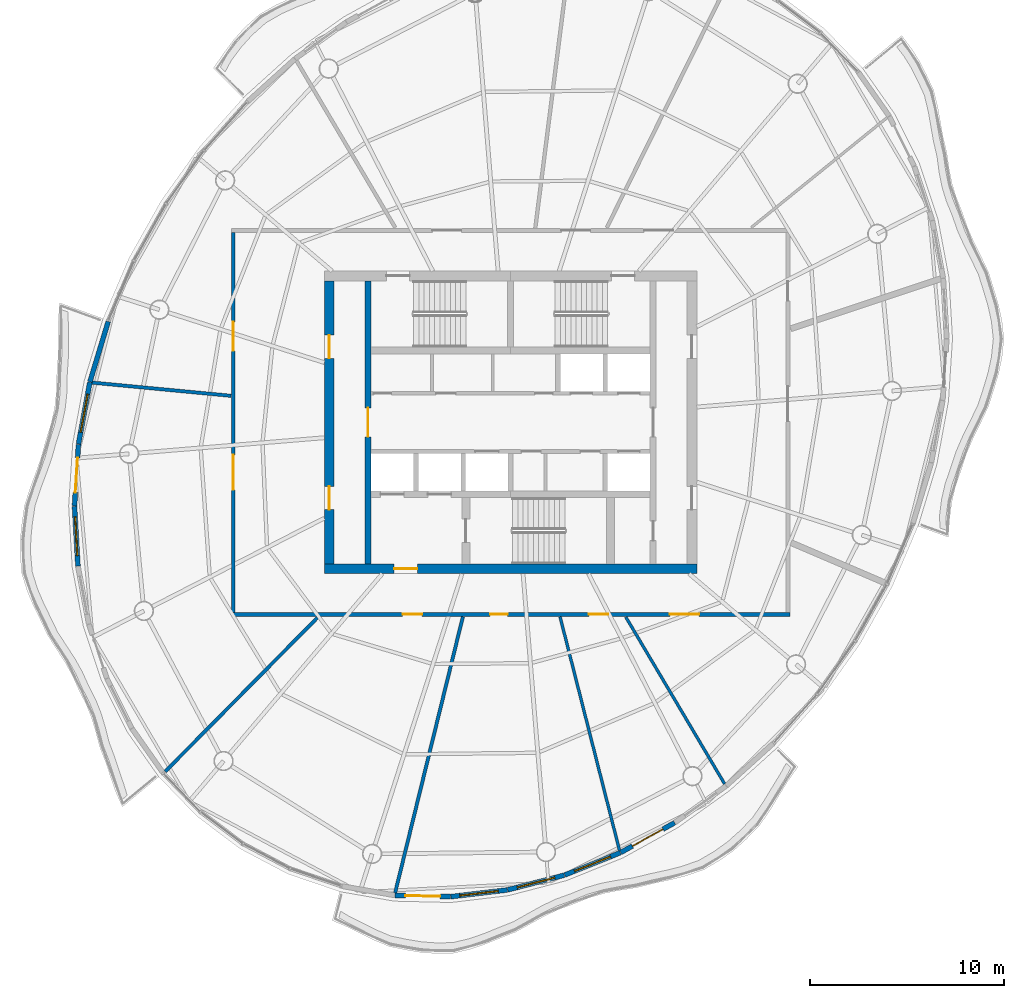
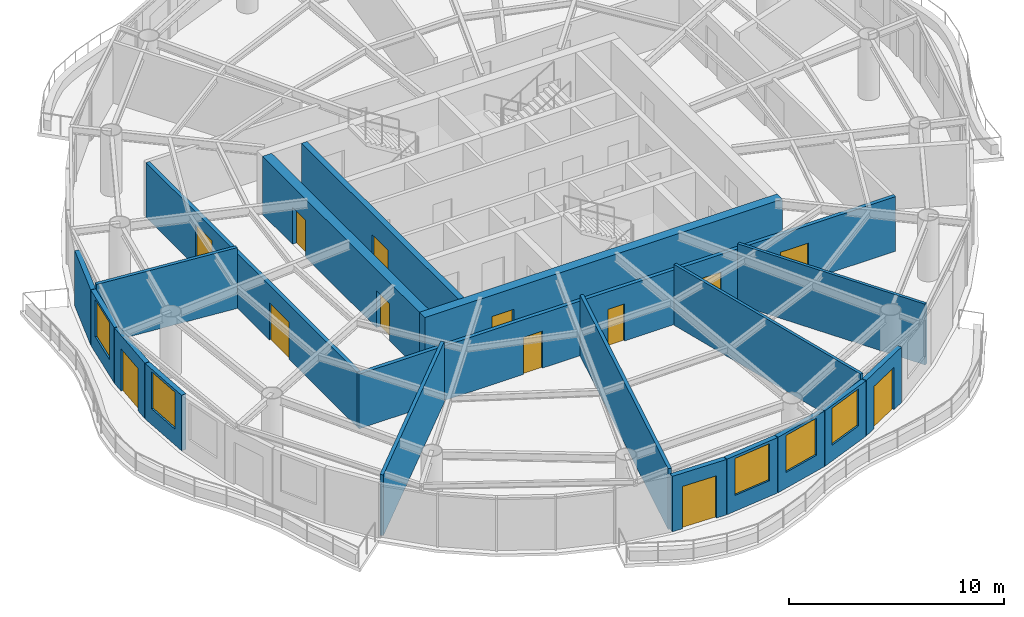
# One storey, part 8 of 14: 19 walls, 13 doors, 5 windows, 18 openings.
"""IFC4 building model written with IfcOpenShell, lengths in metres."""

import ifcopenshell
import ifcopenshell.guid

model = None  # the IFC model being written
_history = None  # IfcOwnerHistory: only IFC2X3 demands one
_inside = {}  # id of a spatial element -> (the spatial element, [elements in it])
_under = {}  # id of a project, library or spatial element -> (it, [spatial elements below it])
_declared = {}  # id of a project -> (the project, [libraries it declares])
_typed = {}  # id of a type object -> (the type object, [elements of that type])
_made_of = {}  # id of a material, layer set ... -> (it, [elements and type objects made of it])


def new_model(schema):
    """Start an empty IFC model of exactly this schema.

    Asked for "IFC4X3", IfcOpenShell would pick the latest addendum, in which some entities
    have other attributes; the version numbers below select the first issue.
    IFC2X3 requires an IfcOwnerHistory on every rooted entity: one is made here for all.
    """
    global model, _history
    if schema == "IFC4X3":
        model = ifcopenshell.file(schema_version=(4, 3, 0, 0))
    else:
        model = ifcopenshell.file(schema=schema)
    _inside.clear()
    _under.clear()
    _declared.clear()
    _typed.clear()
    _made_of.clear()
    _history = None
    if model.schema == "IFC2X3":
        org = make("IfcOrganization", Name="unknown")
        user = make(
            "IfcPersonAndOrganization",
            ThePerson=make("IfcPerson", FamilyName="unknown"),
            TheOrganization=org,
        )
        app = make(
            "IfcApplication",
            ApplicationDeveloper=org,
            Version="unknown",
            ApplicationFullName="unknown",
            ApplicationIdentifier="unknown",
        )
        _history = make(
            "IfcOwnerHistory",
            OwningUser=user,
            OwningApplication=app,
            ChangeAction="ADDED",
            CreationDate=0,
        )
    return model


def make(cls, **values):
    """One entity of the class cls with the attributes given. An attribute that is None is left unset."""
    return model.create_entity(
        cls, **{name: value for name, value in values.items() if value is not None}
    )


def rooted(cls, **values):
    """An entity with a GlobalId (a new one), such as an element, a storey or a relation."""
    return make(cls, GlobalId=ifcopenshell.guid.new(), OwnerHistory=_history, **values)


def si_unit(unit_type, name, prefix=None):
    """IfcSIUnit, for example si_unit("LENGTHUNIT", "METRE", prefix="MILLI")."""
    return make("IfcSIUnit", UnitType=unit_type, Prefix=prefix, Name=name)


def assignment(units):
    """IfcUnitAssignment: the units of a project."""
    return None if units is None else make("IfcUnitAssignment", Units=units)


def point(xyz):
    """IfcCartesianPoint."""
    return None if xyz is None else make("IfcCartesianPoint", Coordinates=xyz)


def direction(xyz):
    """IfcDirection."""
    return None if xyz is None else make("IfcDirection", DirectionRatios=xyz)


def frame(location, z_axis=None, x_axis=None):
    """IfcAxis2Placement3D, a coordinate frame: its origin and axes. An axis left out is left unset."""
    return make(
        "IfcAxis2Placement3D",
        Location=point(location),
        Axis=direction(z_axis),
        RefDirection=direction(x_axis),
    )


def frame_2d(location, x_axis=None):
    """IfcAxis2Placement2D, a coordinate frame in the plane: its origin and x axis."""
    return make(
        "IfcAxis2Placement2D", Location=point(location), RefDirection=direction(x_axis)
    )


def origin():
    """The frame at (0, 0, 0) with its axes left unset."""
    return frame((0.0, 0.0, 0.0))


def place(relative_to, where):
    """IfcLocalPlacement: puts the frame where relative to a parent placement (None: the world)."""
    return make(
        "IfcLocalPlacement", PlacementRelTo=relative_to, RelativePlacement=where
    )


def context(
    kind, dimensions, precision=None, world=None, true_north=None, identifier=None
):
    """IfcGeometricRepresentationContext, for example the 3D "Model" context."""
    return make(
        "IfcGeometricRepresentationContext",
        ContextIdentifier=identifier,
        ContextType=kind,
        CoordinateSpaceDimension=dimensions,
        Precision=precision,
        WorldCoordinateSystem=world,
        TrueNorth=true_north,
    )


def subcontext(parent, identifier, kind, view, scale=None):
    """IfcGeometricRepresentationSubContext, for example "Body" below "Model"."""
    return make(
        "IfcGeometricRepresentationSubContext",
        ContextIdentifier=identifier,
        ContextType=kind,
        ParentContext=parent,
        TargetScale=scale,
        TargetView=view,
    )


def project(units=None, contexts=None):
    """IfcProject with its units and contexts."""
    return rooted(
        "IfcProject",
        Name="project",
        RepresentationContexts=contexts,
        UnitsInContext=assignment(units),
    )


def spatial(cls, under=None, at=None, **own):
    """A site, building, storey or space (cls), placed at a placement, below another one or the project."""
    s = rooted(cls, ObjectPlacement=at, **own)
    if under is not None:
        _under.setdefault(under.id(), (under, []))[1].append(s)
    return s


def profile(cls, at=None, kind="AREA", **sizes):
    """A parametric profile (cls). Its sizes go by their IFC names, for example OverallWidth=200.0."""
    return make(cls, ProfileType=kind, Position=at, **sizes)


def rectangle(**sizes):
    """IfcRectangleProfileDef."""
    return profile("IfcRectangleProfileDef", **sizes)


def extrude(swept, where, along, depth):
    """IfcExtrudedAreaSolid: the profile swept, set in the frame where, extruded along a direction by depth."""
    return make(
        "IfcExtrudedAreaSolid",
        SweptArea=swept,
        Position=where,
        ExtrudedDirection=direction(along),
        Depth=depth,
    )


def shape(context_of_items, identifier, shape_type, items):
    """IfcShapeRepresentation: the items that make up one representation, for example the "Body"."""
    return make(
        "IfcShapeRepresentation",
        ContextOfItems=context_of_items,
        RepresentationIdentifier=identifier,
        RepresentationType=shape_type,
        Items=items,
    )


def material(Name=None, Category=None):
    """IfcMaterial."""
    return make("IfcMaterial", Name=Name, Category=Category)


def layer(
    of_material, thickness, ventilated=None, Name=None, Category=None, Priority=None
):
    """IfcMaterialLayer: one layer of a wall or slab, of a material (None: an air gap)."""
    return make(
        "IfcMaterialLayer",
        Material=of_material,
        LayerThickness=thickness,
        IsVentilated=ventilated,
        Name=Name,
        Category=Category,
        Priority=Priority,
    )


def layer_set(layers, Name=None):
    """IfcMaterialLayerSet."""
    return make("IfcMaterialLayerSet", MaterialLayers=layers, LayerSetName=Name)


def made_of(thing, what):
    """Note that an element or type object is made of a material, layer set ...; save() writes the relation."""
    if what is not None:
        _made_of.setdefault(what.id(), (what, []))[1].append(thing)
    return thing


def type_object(cls, material=None, **own):
    """A type object (cls), such as IfcWallType, which elements share."""
    return made_of(rooted(cls, **own), material)


def element(
    cls,
    number,
    at=None,
    inside=None,
    cuts=None,
    type_object=None,
    material=None,
    context=None,
    identifier="Body",
    shape_type=None,
    held_by="IfcProductDefinitionShape",
    body=None,
    shapes=None,
    **own,
):
    """One element of the class cls, such as IfcWall. Its Tag is "e" and its number.

    at: its placement. inside: the storey or other place that contains it. cuts: it is an
    opening in that element (IfcRelVoidsElement). A single representation is given by context,
    identifier, shape_type and body (its items); several are given by shapes. held_by: the class
    of the entity that holds the representations. save() writes the other relations.
    """
    e = rooted(cls, Tag="e%d" % number, ObjectPlacement=at, **own)
    if body is not None:
        shapes = [shape(context, identifier, shape_type, body)]
    if shapes is not None:
        e.Representation = make(held_by, Representations=shapes)
    if inside is not None:
        _inside.setdefault(inside.id(), (inside, []))[1].append(e)
    if cuts is not None:
        rooted(
            "IfcRelVoidsElement", RelatingBuildingElement=cuts, RelatedOpeningElement=e
        )
    if type_object is not None:
        _typed.setdefault(type_object.id(), (type_object, []))[1].append(e)
    return made_of(e, material)


def fill(opening, filler):
    """IfcRelFillsElement: the door or window that sits in an opening."""
    return rooted(
        "IfcRelFillsElement",
        RelatingOpeningElement=opening,
        RelatedBuildingElement=filler,
    )


def aggregate(whole, parts):
    """IfcRelAggregates: a whole, such as a stair, and the parts it consists of."""
    return rooted("IfcRelAggregates", RelatingObject=whole, RelatedObjects=parts)


def save(model, path):
    """Write the relations noted so far, then the file.

    IfcRelAggregates (storeys below a building ...), IfcRelContainedInSpatialStructure (elements
    in a storey), IfcRelDefinesByType, IfcRelAssociatesMaterial and IfcRelDeclares: one each for
    every whole, place, type object, material and project.
    """
    for whole, parts in _under.values():
        aggregate(whole, parts)
    for where, things in _inside.values():
        rooted(
            "IfcRelContainedInSpatialStructure",
            RelatedElements=things,
            RelatingStructure=where,
        )
    for kind, things in _typed.values():
        rooted("IfcRelDefinesByType", RelatedObjects=things, RelatingType=kind)
    for what, things in _made_of.values():
        rooted("IfcRelAssociatesMaterial", RelatedObjects=things, RelatingMaterial=what)
    for by, libraries in _declared.values():
        rooted("IfcRelDeclares", RelatingContext=by, RelatedDefinitions=libraries)
    model.write(path)


model = new_model("IFC4")

# Units and contexts
model_context = context("Model", 3, precision=1e-05, world=origin(), true_north=direction((0.0, 1.0)))
body_context = subcontext(model_context, "Body", "Model", "MODEL_VIEW")
ifc_project = project(units=[si_unit("LENGTHUNIT", "METRE"), si_unit("AREAUNIT", "SQUARE_METRE"), si_unit("VOLUMEUNIT", "CUBIC_METRE"), si_unit("PLANEANGLEUNIT", "RADIAN"), si_unit("MASSUNIT", "GRAM", prefix="KILO")], contexts=[model_context])

# Site, building, storey
site_placement = place(None, origin())
site = spatial("IfcSite", under=ifc_project, at=site_placement, CompositionType="ELEMENT")
building_placement = place(site_placement, origin())
building = spatial("IfcBuilding", under=site, at=building_placement, Name="Vermilion Reach Broadcast Tower", CompositionType="ELEMENT")
storey_placement = place(building_placement, frame((0.0, 0.0, 264.89990234375)))
storey = spatial("IfcBuildingStorey", under=building, at=storey_placement, Name="L65", CompositionType="ELEMENT", Elevation=264.89990234375)

# Wall, opening, door
ifc_material_1 = material(Name="Concrete C50", Category="concrete")
ifc_layer_1 = layer(ifc_material_1, 0.300048828125)
ifc_layer_set_1 = layer_set([ifc_layer_1], Name="Core inner wall 300 mm Concrete C50")
wall_type_1 = type_object("IfcWallType", Name="Core inner wall 300 mm Concrete C50", PredefinedType="SHEAR", material=ifc_layer_set_1)
wall_1_placement = place(storey_placement, frame((-13.35009765625, 7.300048828125, 0.0), z_axis=(0.0, 0.0, 1.0), x_axis=(0.0, -1.0, 0.0)))
wall_1 = element("IfcWall", 1, at=wall_1_placement, inside=storey, type_object=wall_type_1, Name="L65 core wall ewW", PredefinedType="SHEAR", context=body_context, shape_type="SweptSolid", body=[
    extrude(rectangle(XDim=14.60009765625, YDim=0.300048828125, at=frame_2d((7.300048828125, 0.0))), origin(), (0.0, 0.0, 1.0), 3.300048828125),
])
opening_1_placement = place(wall_1_placement, frame((6.550048828125, 0.0, 0.0)))
opening_1 = element("IfcOpeningElement", 2, at=opening_1_placement, cuts=wall_1, Name="Opening D04", PredefinedType="OPENING", context=body_context, shape_type="SweptSolid", body=[
    extrude(rectangle(XDim=1.5, YDim=2.10009765625, at=frame_2d((0.75, 1.050048828125))), frame((0.0, 0.159912109375, 0.0), z_axis=(0.0, -1.0, 0.0), x_axis=(1.0, 0.0, 0.0)), (0.0, 0.0, 1.0), 0.320068359375),
])
ifc_material_2 = material(Name="Painted steel fire door", Category="steel")
door_type_1 = type_object("IfcDoorType", Name="Lift lobby door 1500 x 2100", OperationType="DOUBLE_DOOR_SINGLE_SWING", PredefinedType="NOTDEFINED", material=ifc_material_2)
door_1_placement = place(opening_1_placement, origin())
door_1 = element("IfcDoor", 3, at=door_1_placement, inside=storey, type_object=door_type_1, Name="L65 band door BW", OperationType="DOUBLE_DOOR_SINGLE_SWING", OverallHeight=2.10009765625, OverallWidth=1.5, PredefinedType="NOTDEFINED", context=body_context, shape_type="SweptSolid", body=[
    extrude(rectangle(XDim=1.5, YDim=2.10009765625, at=frame_2d((0.75, 1.050048828125))), frame((0.0, 0.02490234375, 0.0), z_axis=(0.0, -1.0, 0.0), x_axis=(1.0, 0.0, 0.0)), (0.0, 0.0, 1.0), 0.050048828125),
])
fill(opening_1, door_1)

ifc_material_3 = material(Name="Concrete C50", Category="concrete")
ifc_layer_2 = layer(ifc_material_3, 0.5)
ifc_layer_set_2 = layer_set([ifc_layer_2], Name="Core outer wall 500 mm Concrete C50")
wall_type_2 = type_object("IfcWallType", Name="Core outer wall 500 mm Concrete C50", PredefinedType="SHEAR", material=ifc_layer_set_2)
wall_2_placement = place(storey_placement, frame((-15.60009765625, -7.550048828125, 0.0), z_axis=(0.0, 0.0, 1.0), x_axis=(1.0, 0.0, 0.0)))
wall_2 = element("IfcWall", 4, at=wall_2_placement, inside=storey, type_object=wall_type_2, Name="L65 core wall os", PredefinedType="SHEAR", context=body_context, shape_type="SweptSolid", body=[
    extrude(rectangle(XDim=19.2001953125, YDim=0.5, at=frame_2d((9.60009765625, 0.0))), origin(), (0.0, 0.0, 1.0), 3.300048828125),
])
opening_2_placement = place(wall_2_placement, frame((3.60009765625, 0.0, 0.0)))
opening_2 = element("IfcOpeningElement", 5, at=opening_2_placement, cuts=wall_2, Name="Opening D02", PredefinedType="OPENING", context=body_context, shape_type="SweptSolid", body=[
    extrude(rectangle(XDim=1.199951171875, YDim=2.10009765625, at=frame_2d((0.60009765625, 1.050048828125))), frame((0.0, 0.260009765625, 0.0), z_axis=(0.0, -1.0, 0.0), x_axis=(1.0, 0.0, 0.0)), (0.0, 0.0, 1.0), 0.52001953125),
])
ifc_material_4 = material(Name="Painted steel fire door", Category="steel")
door_type_2 = type_object("IfcDoorType", Name="Firefighting lobby door 1200 x 2100", OperationType="DOUBLE_DOOR_SINGLE_SWING", PredefinedType="NOTDEFINED", material=ifc_material_4)
door_2_placement = place(opening_2_placement, origin())
door_2 = element("IfcDoor", 6, at=door_2_placement, inside=storey, type_object=door_type_2, Name="L65 ffdoor door FFL", OperationType="DOUBLE_DOOR_SINGLE_SWING", OverallHeight=2.10009765625, OverallWidth=1.199951171875, PredefinedType="NOTDEFINED", context=body_context, shape_type="SweptSolid", body=[
    extrude(rectangle(XDim=1.199951171875, YDim=2.10009765625, at=frame_2d((0.60009765625, 1.050048828125))), frame((0.0, 0.02490234375, 0.0), z_axis=(0.0, -1.0, 0.0), x_axis=(1.0, 0.0, 0.0)), (0.0, 0.0, 1.0), 0.050048828125),
])
fill(opening_2, door_2)

# Wall, openings, doors
wall_3_placement = place(storey_placement, frame((-15.35009765625, 7.300048828125, 0.0), z_axis=(0.0, 0.0, 1.0), x_axis=(0.0, -1.0, 0.0)))
wall_3 = element("IfcWall", 7, at=wall_3_placement, inside=storey, type_object=wall_type_2, Name="L65 core wall ow", PredefinedType="SHEAR", context=body_context, shape_type="SweptSolid", body=[
    extrude(rectangle(XDim=14.60009765625, YDim=0.5, at=frame_2d((7.300048828125, 0.0))), origin(), (0.0, 0.0, 1.0), 3.300048828125),
])
opening_3_placement = place(wall_3_placement, frame((10.60009765625, 0.0, 0.0)))
opening_3 = element("IfcOpeningElement", 8, at=opening_3_placement, cuts=wall_3, Name="Opening D03", PredefinedType="OPENING", context=body_context, shape_type="SweptSolid", body=[
    extrude(rectangle(XDim=1.199951171875, YDim=2.10009765625, at=frame_2d((0.60009765625, 1.050048828125))), frame((0.0, 0.260009765625, 0.0), z_axis=(0.0, -1.0, 0.0), x_axis=(1.0, 0.0, 0.0)), (0.0, 0.0, 1.0), 0.52001953125),
])
opening_4_placement = place(wall_3_placement, frame((2.800048828125, 0.0, 0.0)))
opening_4 = element("IfcOpeningElement", 9, at=opening_4_placement, cuts=wall_3, Name="Opening D03", PredefinedType="OPENING", context=body_context, shape_type="SweptSolid", body=[
    extrude(rectangle(XDim=1.199951171875, YDim=2.10009765625, at=frame_2d((0.60009765625, 1.050048828125))), frame((0.0, 0.260009765625, 0.0), z_axis=(0.0, -1.0, 0.0), x_axis=(1.0, 0.0, 0.0)), (0.0, 0.0, 1.0), 0.52001953125),
])
ifc_material_5 = material(Name="Painted steel fire door", Category="steel")
door_type_3 = type_object("IfcDoorType", Name="Core lobby door 1200 x 2100", OperationType="DOUBLE_DOOR_SINGLE_SWING", PredefinedType="NOTDEFINED", material=ifc_material_5)
door_3_placement = place(opening_3_placement, origin())
door_3 = element("IfcDoor", 10, at=door_3_placement, inside=storey, type_object=door_type_3, Name="L65 slot door W0", OperationType="DOUBLE_DOOR_SINGLE_SWING", OverallHeight=2.10009765625, OverallWidth=1.199951171875, PredefinedType="NOTDEFINED", context=body_context, shape_type="SweptSolid", body=[
    extrude(rectangle(XDim=1.199951171875, YDim=2.10009765625, at=frame_2d((0.60009765625, 1.050048828125))), frame((0.0, 0.02490234375, 0.0), z_axis=(0.0, -1.0, 0.0), x_axis=(1.0, 0.0, 0.0)), (0.0, 0.0, 1.0), 0.050048828125),
])
fill(opening_3, door_3)
door_4_placement = place(opening_4_placement, origin())
door_4 = element("IfcDoor", 11, at=door_4_placement, inside=storey, type_object=door_type_3, Name="L65 slot door W1", OperationType="DOUBLE_DOOR_SINGLE_SWING", OverallHeight=2.10009765625, OverallWidth=1.199951171875, PredefinedType="NOTDEFINED", context=body_context, shape_type="SweptSolid", body=[
    extrude(rectangle(XDim=1.199951171875, YDim=2.10009765625, at=frame_2d((0.60009765625, 1.050048828125))), frame((0.0, 0.02490234375, 0.0), z_axis=(0.0, -1.0, 0.0), x_axis=(1.0, 0.0, 0.0)), (0.0, 0.0, 1.0), 0.050048828125),
])
fill(opening_4, door_4)

# Walls
ifc_material_6 = material(Name="Lightweight concrete block, plastered", Category="concrete")
ifc_layer_3 = layer(ifc_material_6, 0.14990234375)
ifc_layer_set_3 = layer_set([ifc_layer_3], Name="Partition 150 lightweight block")
wall_type_3 = type_object("IfcWallType", Name="Partition 150 lightweight block", PredefinedType="PARTITIONING", material=ifc_layer_set_3)
wall_4_placement = place(storey_placement, frame((-0.38427734375, -22.06689453125, 0.0), z_axis=(0.0, 0.0, 1.0), x_axis=(-0.246627305847, 0.969110402385, 0.0)))
element("IfcWall", 12, at=wall_4_placement, inside=storey, type_object=wall_type_3, Name="Partition 65.07", PredefinedType="PARTITIONING", context=body_context, shape_type="SweptSolid", body=[
    extrude(rectangle(XDim=12.432373046875, YDim=0.14990234375, at=frame_2d((6.21630859375, 0.0))), origin(), (0.0, 0.0, 1.0), 3.4501953125),
])
wall_5_placement = place(storey_placement, frame((5.03662109375, -18.64208984375, 0.0), z_axis=(0.0, 0.0, 1.0), x_axis=(-0.509438244873, 0.860507219412, 0.0)))
element("IfcWall", 13, at=wall_5_placement, inside=storey, type_object=wall_type_3, Name="Partition 65.08", PredefinedType="PARTITIONING", context=body_context, shape_type="SweptSolid", body=[
    extrude(rectangle(XDim=9.998779296875, YDim=0.14990234375, at=frame_2d((4.99951171875, 0.0))), origin(), (0.0, 0.0, 1.0), 3.4501953125),
])
ifc_material_7 = material(Name="Fire-rated block, plastered")
ifc_layer_4 = layer(ifc_material_7, 0.175048828125)
ifc_layer_set_4 = layer_set([ifc_layer_4], Name="Partition 175 fire-rated block")
wall_type_4 = type_object("IfcWallType", Name="Partition 175 fire-rated block", PredefinedType="PARTITIONING", material=ifc_layer_set_4)
wall_6_placement = place(storey_placement, frame((-27.567138671875, 2.048828125, 0.0), z_axis=(0.0, 0.0, 1.0), x_axis=(0.995516809143, -0.094584791129, 0.0)))
element("IfcWall", 14, at=wall_6_placement, inside=storey, type_object=wall_type_4, Name="Partition 65.04", PredefinedType="PARTITIONING", context=body_context, shape_type="SweptSolid", body=[
    extrude(rectangle(XDim=7.191162109375, YDim=0.175048828125, at=frame_2d((3.595703125, 0.0))), origin(), (0.0, 0.0, 1.0), 3.4501953125),
])
wall_7_placement = place(storey_placement, frame((-23.808837890625, -18.00390625, 0.0), z_axis=(0.0, 0.0, 1.0), x_axis=(0.703239034198, 0.710953487073, 0.0)))
element("IfcWall", 15, at=wall_7_placement, inside=storey, type_object=wall_type_4, Name="Partition 65.05", PredefinedType="PARTITIONING", context=body_context, shape_type="SweptSolid", body=[
    extrude(rectangle(XDim=11.17138671875, YDim=0.175048828125, at=frame_2d((5.585693359375, 0.0))), origin(), (0.0, 0.0, 1.0), 3.4501953125),
])
wall_8_placement = place(storey_placement, frame((-11.95361328125, -24.260009765625, 0.0), z_axis=(0.0, 0.0, 1.0), x_axis=(0.238333250225, 0.971183433671, 0.0)))
element("IfcWall", 16, at=wall_8_placement, inside=storey, type_object=wall_type_4, Name="Partition 65.06", PredefinedType="PARTITIONING", context=body_context, shape_type="SweptSolid", body=[
    extrude(rectangle(XDim=14.661865234375, YDim=0.175048828125, at=frame_2d((7.3310546875, 0.0))), origin(), (0.0, 0.0, 1.0), 3.4501953125),
])
ifc_material_8 = material(Name="Terracotta rainscreen cladding", Category="masonry")
ifc_layer_5 = layer(ifc_material_8, 0.25)
ifc_layer_set_5 = layer_set([ifc_layer_5], Name="Terracotta rainscreen wall 250")
wall_type_5 = type_object("IfcWallType", Name="Terracotta rainscreen wall 250", PredefinedType="SOLIDWALL", material=ifc_layer_set_5)
wall_9_placement = place(storey_placement, frame((-26.74365234375, 5.197265625, 0.0), z_axis=(0.0, 0.0, 1.0), x_axis=(-0.289926029866, -0.957049056844, 0.0)))
element("IfcWall", 17, at=wall_9_placement, inside=storey, type_object=wall_type_5, Name="External wall L65 14", PredefinedType="SOLIDWALL", context=body_context, shape_type="SweptSolid", body=[
    extrude(rectangle(XDim=3.247802734375, YDim=0.25, at=frame_2d((1.6240234375, 0.0))), origin(), (0.0, 0.0, 1.0), 3.150146484375),
])

# Wall, opening, window
wall_10_placement = place(storey_placement, frame((-27.690673828125, 2.0673828125, 0.0), z_axis=(0.0, 0.0, 1.0), x_axis=(-0.180457976696, -0.983582695378, 0.0)))
wall_10 = element("IfcWall", 18, at=wall_10_placement, inside=storey, type_object=wall_type_5, Name="External wall L65 15", PredefinedType="SOLIDWALL", context=body_context, shape_type="SweptSolid", body=[
    extrude(rectangle(XDim=3.237548828125, YDim=0.25, at=frame_2d((1.61865234375, 0.0))), origin(), (0.0, 0.0, 1.0), 3.150146484375),
])
opening_5_placement = place(wall_10_placement, frame((0.61865234375, 0.0, 0.89990234375)))
opening_5 = element("IfcOpeningElement", 19, at=opening_5_placement, cuts=wall_10, Name="Opening W03", PredefinedType="OPENING", context=body_context, shape_type="SweptSolid", body=[
    extrude(rectangle(XDim=2.0, YDim=2.10009765625, at=frame_2d((1.0, 1.050048828125))), frame((0.0, 0.135009765625, 0.0), z_axis=(0.0, -1.0, 0.0), x_axis=(1.0, 0.0, 0.0)), (0.0, 0.0, 1.0), 0.27001953125),
])
ifc_material_9 = material(Name="Low-e laminated clear glass in aluminium frame", Category="aluminium")
window_type = type_object("IfcWindowType", Name="Punched window 2000 x 2100 sill 900", PartitioningType="SINGLE_PANEL", PredefinedType="WINDOW", material=ifc_material_9)
window_1_placement = place(opening_5_placement, origin())
window_1 = element("IfcWindow", 20, at=window_1_placement, inside=storey, type_object=window_type, Name="Window L65 15", OverallHeight=2.10009765625, OverallWidth=2.0, PartitioningType="SINGLE_PANEL", PredefinedType="WINDOW", context=body_context, shape_type="SweptSolid", body=[
    extrude(rectangle(XDim=2.0, YDim=2.10009765625, at=frame_2d((1.0, 1.050048828125))), frame((0.0, 0.030029296875, 0.0), z_axis=(0.0, -1.0, 0.0), x_axis=(1.0, 0.0, 0.0)), (0.0, 0.0, 1.0), 0.06005859375),
])
fill(opening_5, window_1)

# Wall, opening, door
wall_11_placement = place(storey_placement, frame((-28.277587890625, -1.139404296875, 0.0), z_axis=(0.0, 0.0, 1.0), x_axis=(-0.064473835275, -0.99791939783, 0.0)))
wall_11 = element("IfcWall", 21, at=wall_11_placement, inside=storey, type_object=wall_type_5, Name="External wall L65 16", PredefinedType="SOLIDWALL", context=body_context, shape_type="SweptSolid", body=[
    extrude(rectangle(XDim=3.16943359375, YDim=0.25, at=frame_2d((1.584716796875, 0.0))), origin(), (0.0, 0.0, 1.0), 3.150146484375),
])
opening_6_placement = place(wall_11_placement, frame((0.68505859375, 0.0, 0.0)))
opening_6 = element("IfcOpeningElement", 22, at=opening_6_placement, cuts=wall_11, Name="Opening D70", PredefinedType="OPENING", context=body_context, shape_type="SweptSolid", body=[
    extrude(rectangle(XDim=1.800048828125, YDim=2.39990234375, at=frame_2d((0.89990234375, 1.199951171875))), frame((0.0, 0.135009765625, 0.0), z_axis=(0.0, -1.0, 0.0), x_axis=(1.0, 0.0, 0.0)), (0.0, 0.0, 1.0), 0.27001953125),
])
ifc_material_10 = material(Name="Low-e laminated clear glass in aluminium frame", Category="aluminium")
door_type_4 = type_object("IfcDoorType", Name="Balcony sliding door 1800 x 2400", OperationType="DOUBLE_DOOR_SLIDING", PredefinedType="DOOR", material=ifc_material_10)
door_5_placement = place(opening_6_placement, origin())
door_5 = element("IfcDoor", 23, at=door_5_placement, inside=storey, type_object=door_type_4, Name="Balcony door L65 run 04", OperationType="DOUBLE_DOOR_SLIDING", OverallHeight=2.39990234375, OverallWidth=1.800048828125, PredefinedType="DOOR", context=body_context, shape_type="SweptSolid", body=[
    extrude(rectangle(XDim=1.800048828125, YDim=2.39990234375, at=frame_2d((0.89990234375, 1.199951171875))), frame((0.0, 0.02490234375, 0.0), z_axis=(0.0, -1.0, 0.0), x_axis=(1.0, 0.0, 0.0)), (0.0, 0.0, 1.0), 0.050048828125),
])
fill(opening_6, door_5)

# Wall, opening, window
wall_12_placement = place(storey_placement, frame((-28.482177734375, -4.325439453125, 0.0), z_axis=(0.0, 0.0, 1.0), x_axis=(0.057643453345, -0.998337233747, 0.0)))
wall_12 = element("IfcWall", 24, at=wall_12_placement, inside=storey, type_object=wall_type_5, Name="External wall L65 17", PredefinedType="SOLIDWALL", context=body_context, shape_type="SweptSolid", body=[
    extrude(rectangle(XDim=3.091796875, YDim=0.25, at=frame_2d((1.5458984375, 0.0))), origin(), (0.0, 0.0, 1.0), 3.150146484375),
])
opening_7_placement = place(wall_12_placement, frame((0.5458984375, 0.0, 0.89990234375)))
opening_7 = element("IfcOpeningElement", 25, at=opening_7_placement, cuts=wall_12, Name="Opening W03", PredefinedType="OPENING", context=body_context, shape_type="SweptSolid", body=[
    extrude(rectangle(XDim=2.0, YDim=2.10009765625, at=frame_2d((1.0, 1.050048828125))), frame((0.0, 0.135009765625, 0.0), z_axis=(0.0, -1.0, 0.0), x_axis=(1.0, 0.0, 0.0)), (0.0, 0.0, 1.0), 0.27001953125),
])
window_2_placement = place(opening_7_placement, origin())
window_2 = element("IfcWindow", 26, at=window_2_placement, inside=storey, type_object=window_type, Name="Window L65 17", OverallHeight=2.10009765625, OverallWidth=2.0, PartitioningType="SINGLE_PANEL", PredefinedType="WINDOW", context=body_context, shape_type="SweptSolid", body=[
    extrude(rectangle(XDim=2.0, YDim=2.10009765625, at=frame_2d((1.0, 1.050048828125))), frame((0.0, 0.030029296875, 0.0), z_axis=(0.0, -1.0, 0.0), x_axis=(1.0, 0.0, 0.0)), (0.0, 0.0, 1.0), 0.06005859375),
])
fill(opening_7, window_2)

# Wall, opening, door
wall_13_placement = place(storey_placement, frame((-11.952392578125, -24.384765625, 0.0), z_axis=(0.0, 0.0, 1.0), x_axis=(0.999718659369, -0.023719235002, 0.0)))
wall_13 = element("IfcWall", 27, at=wall_13_placement, inside=storey, type_object=wall_type_5, Name="External wall L65 27", PredefinedType="SOLIDWALL", context=body_context, shape_type="SweptSolid", body=[
    extrude(rectangle(XDim=2.85107421875, YDim=0.25, at=frame_2d((1.425537109375, 0.0))), origin(), (0.0, 0.0, 1.0), 3.150146484375),
])
opening_8_placement = place(wall_13_placement, frame((0.52587890625, 0.0, 0.0)))
opening_8 = element("IfcOpeningElement", 28, at=opening_8_placement, cuts=wall_13, Name="Opening D70", PredefinedType="OPENING", context=body_context, shape_type="SweptSolid", body=[
    extrude(rectangle(XDim=1.800048828125, YDim=2.39990234375, at=frame_2d((0.89990234375, 1.199951171875))), frame((0.0, 0.135009765625, 0.0), z_axis=(0.0, -1.0, 0.0), x_axis=(1.0, 0.0, 0.0)), (0.0, 0.0, 1.0), 0.27001953125),
])
door_6_placement = place(opening_8_placement, origin())
door_6 = element("IfcDoor", 29, at=door_6_placement, inside=storey, type_object=door_type_4, Name="Balcony door L65 run 07", OperationType="DOUBLE_DOOR_SLIDING", OverallHeight=2.39990234375, OverallWidth=1.800048828125, PredefinedType="DOOR", context=body_context, shape_type="SweptSolid", body=[
    extrude(rectangle(XDim=1.800048828125, YDim=2.39990234375, at=frame_2d((0.89990234375, 1.199951171875))), frame((0.0, 0.02490234375, 0.0), z_axis=(0.0, -1.0, 0.0), x_axis=(1.0, 0.0, 0.0)), (0.0, 0.0, 1.0), 0.050048828125),
])
fill(opening_8, door_6)

# Wall, opening, window
wall_14_placement = place(storey_placement, frame((-9.076416015625, -24.451171875, 0.0), z_axis=(0.0, 0.0, 1.0), x_axis=(0.992981045758, 0.11827359285, 0.0)))
wall_14 = element("IfcWall", 30, at=wall_14_placement, inside=storey, type_object=wall_type_5, Name="External wall L65 28", PredefinedType="SOLIDWALL", context=body_context, shape_type="SweptSolid", body=[
    extrude(rectangle(XDim=2.927001953125, YDim=0.25, at=frame_2d((1.46337890625, 0.0))), origin(), (0.0, 0.0, 1.0), 3.150146484375),
])
opening_9_placement = place(wall_14_placement, frame((0.46337890625, 0.0, 0.89990234375)))
opening_9 = element("IfcOpeningElement", 31, at=opening_9_placement, cuts=wall_14, Name="Opening W03", PredefinedType="OPENING", context=body_context, shape_type="SweptSolid", body=[
    extrude(rectangle(XDim=2.0, YDim=2.10009765625, at=frame_2d((1.0, 1.050048828125))), frame((0.0, 0.135009765625, 0.0), z_axis=(0.0, -1.0, 0.0), x_axis=(1.0, 0.0, 0.0)), (0.0, 0.0, 1.0), 0.27001953125),
])
window_3_placement = place(opening_9_placement, origin())
window_3 = element("IfcWindow", 32, at=window_3_placement, inside=storey, type_object=window_type, Name="Window L65 28", OverallHeight=2.10009765625, OverallWidth=2.0, PartitioningType="SINGLE_PANEL", PredefinedType="WINDOW", context=body_context, shape_type="SweptSolid", body=[
    extrude(rectangle(XDim=2.0, YDim=2.10009765625, at=frame_2d((1.0, 1.050048828125))), frame((0.0, 0.030029296875, 0.0), z_axis=(0.0, -1.0, 0.0), x_axis=(1.0, 0.0, 0.0)), (0.0, 0.0, 1.0), 0.06005859375),
])
fill(opening_9, window_3)

wall_15_placement = place(storey_placement, frame((-6.1455078125, -24.100341796875, 0.0), z_axis=(0.0, 0.0, 1.0), x_axis=(0.967956734752, 0.25111702381, 0.0)))
wall_15 = element("IfcWall", 33, at=wall_15_placement, inside=storey, type_object=wall_type_5, Name="External wall L65 29", PredefinedType="SOLIDWALL", context=body_context, shape_type="SweptSolid", body=[
    extrude(rectangle(XDim=3.009033203125, YDim=0.25, at=frame_2d((1.50439453125, 0.0))), origin(), (0.0, 0.0, 1.0), 3.150146484375),
])
opening_10_placement = place(wall_15_placement, frame((0.504638671875, 0.0, 0.89990234375)))
opening_10 = element("IfcOpeningElement", 34, at=opening_10_placement, cuts=wall_15, Name="Opening W03", PredefinedType="OPENING", context=body_context, shape_type="SweptSolid", body=[
    extrude(rectangle(XDim=2.0, YDim=2.10009765625, at=frame_2d((1.0, 1.050048828125))), frame((0.0, 0.135009765625, 0.0), z_axis=(0.0, -1.0, 0.0), x_axis=(1.0, 0.0, 0.0)), (0.0, 0.0, 1.0), 0.27001953125),
])
window_4_placement = place(opening_10_placement, origin())
window_4 = element("IfcWindow", 35, at=window_4_placement, inside=storey, type_object=window_type, Name="Window L65 29", OverallHeight=2.10009765625, OverallWidth=2.0, PartitioningType="SINGLE_PANEL", PredefinedType="WINDOW", context=body_context, shape_type="SweptSolid", body=[
    extrude(rectangle(XDim=2.0, YDim=2.10009765625, at=frame_2d((1.0, 1.050048828125))), frame((0.0, 0.030029296875, 0.0), z_axis=(0.0, -1.0, 0.0), x_axis=(1.0, 0.0, 0.0)), (0.0, 0.0, 1.0), 0.06005859375),
])
fill(opening_10, window_4)

wall_16_placement = place(storey_placement, frame((-3.2099609375, -23.337158203125, 0.0), z_axis=(0.0, 0.0, 1.0), x_axis=(0.927849089634, 0.372955851093, 0.0)))
wall_16 = element("IfcWall", 36, at=wall_16_placement, inside=storey, type_object=wall_type_5, Name="External wall L65 30", PredefinedType="SOLIDWALL", context=body_context, shape_type="SweptSolid", body=[
    extrude(rectangle(XDim=3.091796875, YDim=0.25, at=frame_2d((1.5458984375, 0.0))), origin(), (0.0, 0.0, 1.0), 3.150146484375),
])
opening_11_placement = place(wall_16_placement, frame((0.5458984375, 0.0, 0.89990234375)))
opening_11 = element("IfcOpeningElement", 37, at=opening_11_placement, cuts=wall_16, Name="Opening W03", PredefinedType="OPENING", context=body_context, shape_type="SweptSolid", body=[
    extrude(rectangle(XDim=2.0, YDim=2.10009765625, at=frame_2d((1.0, 1.050048828125))), frame((0.0, 0.135009765625, 0.0), z_axis=(0.0, -1.0, 0.0), x_axis=(1.0, 0.0, 0.0)), (0.0, 0.0, 1.0), 0.27001953125),
])
window_5_placement = place(opening_11_placement, origin())
window_5 = element("IfcWindow", 38, at=window_5_placement, inside=storey, type_object=window_type, Name="Window L65 30", OverallHeight=2.10009765625, OverallWidth=2.0, PartitioningType="SINGLE_PANEL", PredefinedType="WINDOW", context=body_context, shape_type="SweptSolid", body=[
    extrude(rectangle(XDim=2.0, YDim=2.10009765625, at=frame_2d((1.0, 1.050048828125))), frame((0.0, 0.030029296875, 0.0), z_axis=(0.0, -1.0, 0.0), x_axis=(1.0, 0.0, 0.0)), (0.0, 0.0, 1.0), 0.06005859375),
])
fill(opening_11, window_5)

# Wall, opening, door
wall_17_placement = place(storey_placement, frame((-0.3203125, -22.174072265625, 0.0), z_axis=(0.0, 0.0, 1.0), x_axis=(0.875491155983, 0.483234141794, 0.0)))
wall_17 = element("IfcWall", 39, at=wall_17_placement, inside=storey, type_object=wall_type_5, Name="External wall L65 31", PredefinedType="SOLIDWALL", context=body_context, shape_type="SweptSolid", body=[
    extrude(rectangle(XDim=3.169189453125, YDim=0.25, at=frame_2d((1.58447265625, 0.0))), origin(), (0.0, 0.0, 1.0), 3.150146484375),
])
opening_12_placement = place(wall_17_placement, frame((0.68505859375, 0.0, 0.0)))
opening_12 = element("IfcOpeningElement", 40, at=opening_12_placement, cuts=wall_17, Name="Opening D70", PredefinedType="OPENING", context=body_context, shape_type="SweptSolid", body=[
    extrude(rectangle(XDim=1.800048828125, YDim=2.39990234375, at=frame_2d((0.89990234375, 1.199951171875))), frame((0.0, 0.135009765625, 0.0), z_axis=(0.0, -1.0, 0.0), x_axis=(1.0, 0.0, 0.0)), (0.0, 0.0, 1.0), 0.27001953125),
])
door_7_placement = place(opening_12_placement, origin())
door_7 = element("IfcDoor", 41, at=door_7_placement, inside=storey, type_object=door_type_4, Name="Balcony door L65 run 08", OperationType="DOUBLE_DOOR_SLIDING", OverallHeight=2.39990234375, OverallWidth=1.800048828125, PredefinedType="DOOR", context=body_context, shape_type="SweptSolid", body=[
    extrude(rectangle(XDim=1.800048828125, YDim=2.39990234375, at=frame_2d((0.89990234375, 1.199951171875))), frame((0.0, 0.02490234375, 0.0), z_axis=(0.0, -1.0, 0.0), x_axis=(1.0, 0.0, 0.0)), (0.0, 0.0, 1.0), 0.050048828125),
])
fill(opening_12, door_7)

# Wall, openings, doors
ifc_material_11 = material(Name="Fire-rated gypsum board partition")
ifc_layer_6 = layer(ifc_material_11, 0.199951171875)
ifc_layer_set_6 = layer_set([ifc_layer_6], Name="Under girder: Corridor wall 200 fire-rated")
wall_type_6 = type_object("IfcWallType", Name="Under girder: Corridor wall 200 fire-rated", PredefinedType="PARTITIONING", material=ifc_layer_set_6)
wall_18_placement = place(storey_placement, frame((8.39990234375, -9.89990234375, 0.0), z_axis=(0.0, 0.0, 1.0), x_axis=(-1.0, 0.0, 0.0)))
wall_18 = element("IfcWall", 42, at=wall_18_placement, inside=storey, type_object=wall_type_6, Name="Corridor wall 65.S", PredefinedType="PARTITIONING", context=body_context, shape_type="SweptSolid", body=[
    extrude(rectangle(XDim=28.7998046875, YDim=0.199951171875, at=frame_2d((14.39990234375, 0.0))), origin(), (0.0, 0.0, 1.0), 3.10009765625),
])
opening_13_placement = place(wall_18_placement, frame((18.96044921875, 0.0, 0.0)))
opening_13 = element("IfcOpeningElement", 43, at=opening_13_placement, cuts=wall_18, Name="Opening D20", PredefinedType="OPENING", context=body_context, shape_type="SweptSolid", body=[
    extrude(rectangle(XDim=1.0, YDim=2.10009765625, at=frame_2d((0.5, 1.050048828125))), frame((0.0, 0.10986328125, 0.0), z_axis=(0.0, -1.0, 0.0), x_axis=(1.0, 0.0, 0.0)), (0.0, 0.0, 1.0), 0.219970703125),
])
opening_14_placement = place(wall_18_placement, frame((14.54931640625, 0.0, 0.0)))
opening_14 = element("IfcOpeningElement", 44, at=opening_14_placement, cuts=wall_18, Name="Opening D22", PredefinedType="OPENING", context=body_context, shape_type="SweptSolid", body=[
    extrude(rectangle(XDim=0.89990234375, YDim=2.10009765625, at=frame_2d((0.449951171875, 1.050048828125))), frame((0.0, 0.10986328125, 0.0), z_axis=(0.0, -1.0, 0.0), x_axis=(1.0, 0.0, 0.0)), (0.0, 0.0, 1.0), 0.219970703125),
])
opening_15_placement = place(wall_18_placement, frame((9.3623046875, 0.0, 0.0)))
opening_15 = element("IfcOpeningElement", 45, at=opening_15_placement, cuts=wall_18, Name="Opening D20", PredefinedType="OPENING", context=body_context, shape_type="SweptSolid", body=[
    extrude(rectangle(XDim=1.0, YDim=2.10009765625, at=frame_2d((0.5, 1.050048828125))), frame((0.0, 0.10986328125, 0.0), z_axis=(0.0, -1.0, 0.0), x_axis=(1.0, 0.0, 0.0)), (0.0, 0.0, 1.0), 0.219970703125),
])
opening_16_placement = place(wall_18_placement, frame((4.685791015625, 0.0, 0.0)))
opening_16 = element("IfcOpeningElement", 46, at=opening_16_placement, cuts=wall_18, Name="Opening D24", PredefinedType="OPENING", context=body_context, shape_type="SweptSolid", body=[
    extrude(rectangle(XDim=1.5, YDim=2.10009765625, at=frame_2d((0.75, 1.050048828125))), frame((0.0, 0.10986328125, 0.0), z_axis=(0.0, -1.0, 0.0), x_axis=(1.0, 0.0, 0.0)), (0.0, 0.0, 1.0), 0.219970703125),
])
ifc_material_12 = material(Name="Timber door leaf", Category="wood")
door_type_5 = type_object("IfcDoorType", Name="Door pair 1500x2100", OperationType="NOTDEFINED", PredefinedType="DOOR", material=ifc_material_12)
door_8_placement = place(opening_16_placement, origin())
door_8 = element("IfcDoor", 47, at=door_8_placement, inside=storey, type_object=door_type_5, Name="Door 65.08", OperationType="DOUBLE_DOOR_SINGLE_SWING", OverallHeight=2.10009765625, OverallWidth=1.5, PredefinedType="DOOR", context=body_context, shape_type="SweptSolid", body=[
    extrude(rectangle(XDim=1.5, YDim=2.10009765625, at=frame_2d((0.75, 1.050048828125))), frame((0.0, 0.02490234375, 0.0), z_axis=(0.0, -1.0, 0.0), x_axis=(1.0, 0.0, 0.0)), (0.0, 0.0, 1.0), 0.050048828125),
])
fill(opening_16, door_8)
ifc_material_13 = material(Name="Timber door leaf", Category="wood")
door_type_6 = type_object("IfcDoorType", Name="Door single 1000x2100", OperationType="NOTDEFINED", PredefinedType="DOOR", material=ifc_material_13)
door_9_placement = place(opening_13_placement, origin())
door_9 = element("IfcDoor", 48, at=door_9_placement, inside=storey, type_object=door_type_6, Name="Door 65.05", OperationType="SINGLE_SWING_LEFT", OverallHeight=2.10009765625, OverallWidth=1.0, PredefinedType="DOOR", context=body_context, shape_type="SweptSolid", body=[
    extrude(rectangle(XDim=1.0, YDim=2.10009765625, at=frame_2d((0.5, 1.050048828125))), frame((0.0, 0.02490234375, 0.0), z_axis=(0.0, -1.0, 0.0), x_axis=(1.0, 0.0, 0.0)), (0.0, 0.0, 1.0), 0.050048828125),
])
fill(opening_13, door_9)
door_10_placement = place(opening_15_placement, origin())
door_10 = element("IfcDoor", 49, at=door_10_placement, inside=storey, type_object=door_type_6, Name="Door 65.07", OperationType="SINGLE_SWING_LEFT", OverallHeight=2.10009765625, OverallWidth=1.0, PredefinedType="DOOR", context=body_context, shape_type="SweptSolid", body=[
    extrude(rectangle(XDim=1.0, YDim=2.10009765625, at=frame_2d((0.5, 1.050048828125))), frame((0.0, 0.02490234375, 0.0), z_axis=(0.0, -1.0, 0.0), x_axis=(1.0, 0.0, 0.0)), (0.0, 0.0, 1.0), 0.050048828125),
])
fill(opening_15, door_10)
ifc_material_14 = material(Name="Timber door leaf", Category="wood")
door_type_7 = type_object("IfcDoorType", Name="Door single 900x2100", OperationType="NOTDEFINED", PredefinedType="DOOR", material=ifc_material_14)
door_11_placement = place(opening_14_placement, origin())
door_11 = element("IfcDoor", 50, at=door_11_placement, inside=storey, type_object=door_type_7, Name="Door 65.06", OperationType="SINGLE_SWING_RIGHT", OverallHeight=2.10009765625, OverallWidth=0.89990234375, PredefinedType="DOOR", context=body_context, shape_type="SweptSolid", body=[
    extrude(rectangle(XDim=0.89990234375, YDim=2.10009765625, at=frame_2d((0.449951171875, 1.050048828125))), frame((0.0, 0.02490234375, 0.0), z_axis=(0.0, -1.0, 0.0), x_axis=(1.0, 0.0, 0.0)), (0.0, 0.0, 1.0), 0.050048828125),
])
fill(opening_14, door_11)

wall_19_placement = place(storey_placement, frame((-20.300048828125, -9.800048828125, 0.0), z_axis=(0.0, 0.0, 1.0), x_axis=(0.0, 1.0, 0.0)))
wall_19 = element("IfcWall", 51, at=wall_19_placement, inside=storey, type_object=wall_type_6, Name="Corridor wall 65.W", PredefinedType="PARTITIONING", context=body_context, shape_type="SweptSolid", body=[
    extrude(rectangle(XDim=19.60009765625, YDim=0.199951171875, at=frame_2d((9.800048828125, 0.0))), origin(), (0.0, 0.0, 1.0), 3.10009765625),
])
opening_17_placement = place(wall_19_placement, frame((13.482666015625, 0.0, 0.0)))
opening_17 = element("IfcOpeningElement", 52, at=opening_17_placement, cuts=wall_19, Name="Opening D25", PredefinedType="OPENING", context=body_context, shape_type="SweptSolid", body=[
    extrude(rectangle(XDim=1.5, YDim=2.39990234375, at=frame_2d((0.75, 1.199951171875))), frame((0.0, 0.10986328125, 0.0), z_axis=(0.0, -1.0, 0.0), x_axis=(1.0, 0.0, 0.0)), (0.0, 0.0, 1.0), 0.219970703125),
])
opening_18_placement = place(wall_19_placement, frame((6.322509765625, 0.0, 0.0)))
opening_18 = element("IfcOpeningElement", 53, at=opening_18_placement, cuts=wall_19, Name="Opening D21", PredefinedType="OPENING", context=body_context, shape_type="SweptSolid", body=[
    extrude(rectangle(XDim=1.800048828125, YDim=2.10009765625, at=frame_2d((0.89990234375, 1.050048828125))), frame((0.0, 0.10986328125, 0.0), z_axis=(0.0, -1.0, 0.0), x_axis=(1.0, 0.0, 0.0)), (0.0, 0.0, 1.0), 0.219970703125),
])
ifc_material_15 = material(Name="Glazed timber door leaf", Category="wood")
door_type_8 = type_object("IfcDoorType", Name="Door pair 1500x2400", OperationType="NOTDEFINED", PredefinedType="DOOR", material=ifc_material_15)
door_12_placement = place(opening_17_placement, origin())
door_12 = element("IfcDoor", 54, at=door_12_placement, inside=storey, type_object=door_type_8, Name="Door 65.03", OperationType="DOUBLE_DOOR_SINGLE_SWING", OverallHeight=2.39990234375, OverallWidth=1.5, PredefinedType="DOOR", context=body_context, shape_type="SweptSolid", body=[
    extrude(rectangle(XDim=1.5, YDim=2.39990234375, at=frame_2d((0.75, 1.199951171875))), frame((0.0, 0.02490234375, 0.0), z_axis=(0.0, -1.0, 0.0), x_axis=(1.0, 0.0, 0.0)), (0.0, 0.0, 1.0), 0.050048828125),
])
fill(opening_17, door_12)
ifc_material_16 = material(Name="Timber door leaf", Category="wood")
door_type_9 = type_object("IfcDoorType", Name="Door pair 1800x2100", OperationType="NOTDEFINED", PredefinedType="DOOR", material=ifc_material_16)
door_13_placement = place(opening_18_placement, origin())
door_13 = element("IfcDoor", 55, at=door_13_placement, inside=storey, type_object=door_type_9, Name="Door 65.04", OperationType="DOUBLE_DOOR_SINGLE_SWING", OverallHeight=2.10009765625, OverallWidth=1.800048828125, PredefinedType="DOOR", context=body_context, shape_type="SweptSolid", body=[
    extrude(rectangle(XDim=1.800048828125, YDim=2.10009765625, at=frame_2d((0.89990234375, 1.050048828125))), frame((0.0, 0.02490234375, 0.0), z_axis=(0.0, -1.0, 0.0), x_axis=(1.0, 0.0, 0.0)), (0.0, 0.0, 1.0), 0.050048828125),
])
fill(opening_18, door_13)

save(model, "model.ifc")
